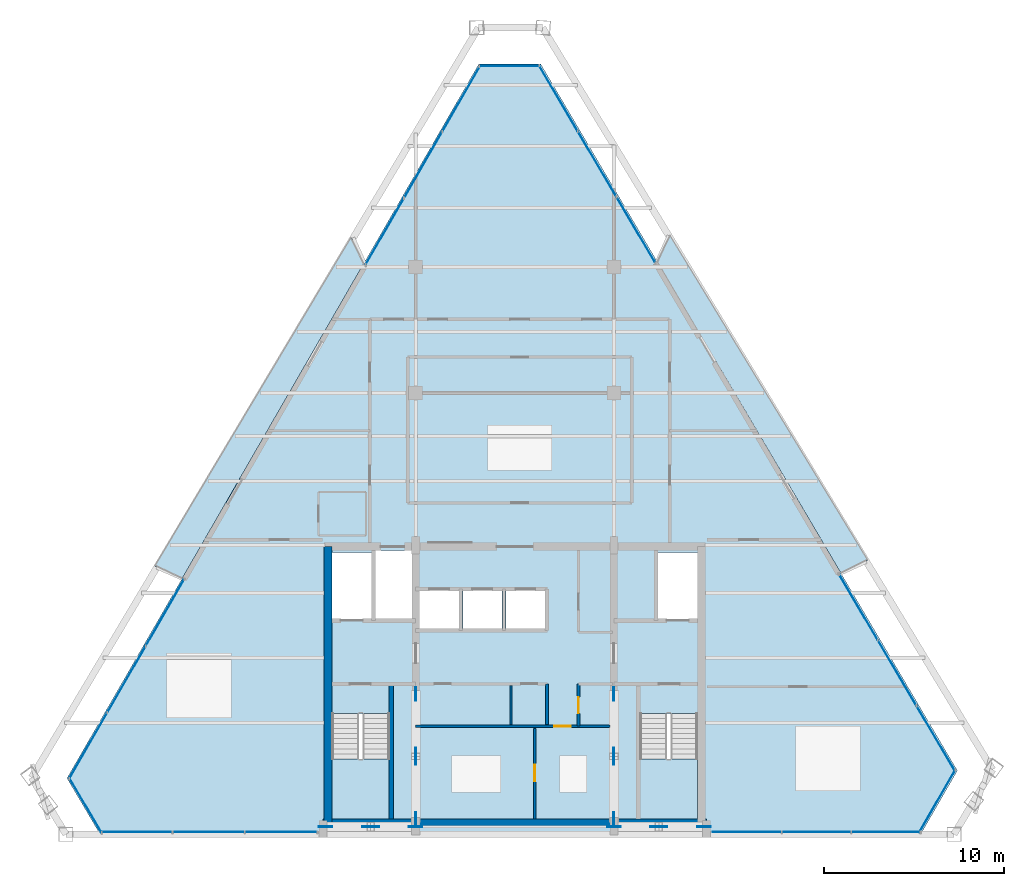
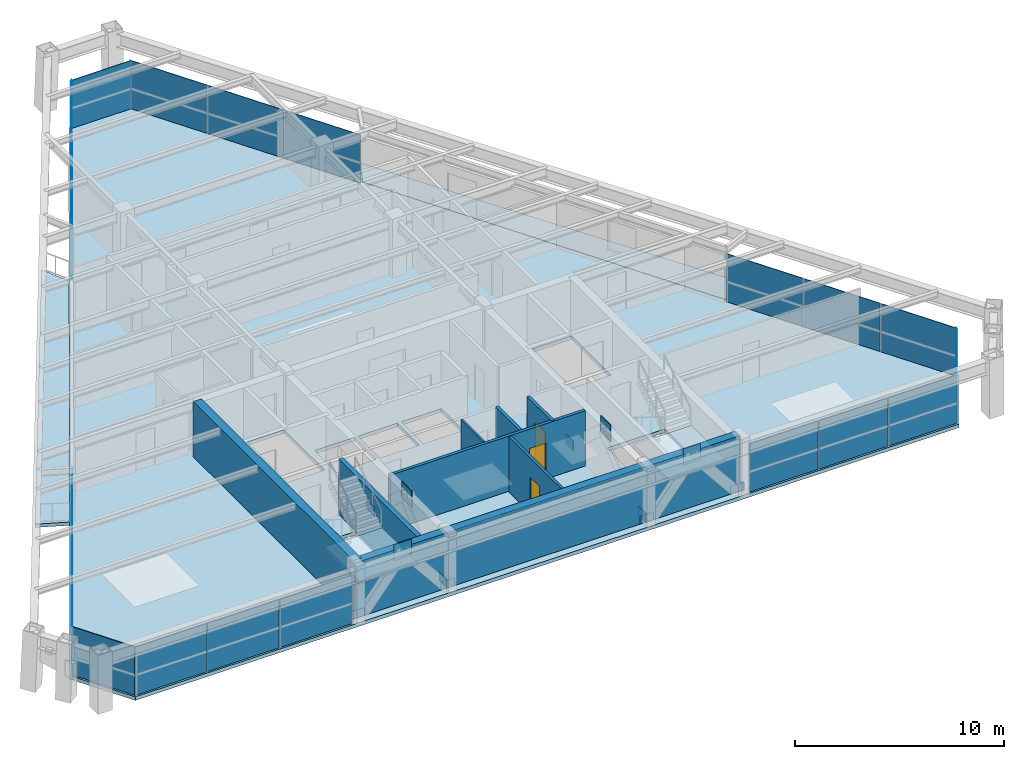
# One storey, part 8 of 13: 33 plates, 8 walls, 5 slabs, 3 doors, 3 openings, 11 elements without a shape of their own.
"""IFC4 building model written with IfcOpenShell, lengths in metres."""

from ifc_helpers import new_model, si_unit, direction, frame, frame_2d, origin, origin_2d, place, context, subcontext, project, spatial, polyline, rectangle, outline, extrude, source, transform, mapped, material, layer, layer_set, type_object, type_shapes, element, fill, aggregate, save


model = new_model("IFC4")

# Units and contexts
model_context = context("Model", 3, precision=1e-05, world=origin(), true_north=direction((0.0, 1.0)))
body_context = subcontext(model_context, "Body", "Model", "MODEL_VIEW")
ifc_project = project(units=[si_unit("LENGTHUNIT", "METRE"), si_unit("AREAUNIT", "SQUARE_METRE"), si_unit("VOLUMEUNIT", "CUBIC_METRE"), si_unit("PLANEANGLEUNIT", "RADIAN"), si_unit("MASSUNIT", "GRAM", prefix="KILO")], contexts=[model_context])

# Site, building, storey
site_placement = place(None, origin())
site = spatial("IfcSite", under=ifc_project, at=site_placement, CompositionType="ELEMENT")
building_placement = place(site_placement, origin())
building = spatial("IfcBuilding", under=site, at=building_placement, Name="Varnakhor Terracotta Tower", CompositionType="ELEMENT")
storey_placement = place(building_placement, frame((0.0, 0.0, 279.89990234375)))
storey = spatial("IfcBuildingStorey", under=building, at=storey_placement, Name="L73", CompositionType="ELEMENT", Elevation=279.89990234375)

# Slab
ifc_material_1 = material(Name="Concrete C40/50", Category="concrete")
ifc_layer_1 = layer(ifc_material_1, 0.2099609375, Name="Concrete C40/50")
ifc_layer_set_1 = layer_set([ifc_layer_1], Name="Concrete C40/50")
slab_type_1 = type_object("IfcSlabType", Name="SLB-HTL-210", PredefinedType="FLOOR", material=ifc_layer_set_1)
slab_1_placement = place(storey_placement, frame((0.0, 0.0, -0.2099609375)))
element("IfcSlab", 1, at=slab_1_placement, inside=storey, type_object=slab_type_1, Name="L73 Structural Floor Slab", PredefinedType="FLOOR", context=body_context, shape_type="SweptSolid", body=[
    extrude(outline(polyline([(-24.864501953125, 3.114990234375), (-1.995849609375, 42.775634765625), (1.438232421875, 42.775634765625), (24.5771484375, 3.533447265625), (22.539794921875, 0.0), (-23.02783203125, 0.0), (-24.864501953125, 3.114990234375)]), holes=[polyline([(-6.949951171875, 0.85009765625), (-6.949951171875, 6.695068359375), (-10.14990234375, 6.695068359375), (-10.14990234375, 0.85009765625), (-6.949951171875, 0.85009765625)]), polyline([(10.14990234375, 0.85009765625), (10.14990234375, 6.695068359375), (6.949951171875, 6.695068359375), (6.949951171875, 0.85009765625), (10.14990234375, 0.85009765625)]), polyline([(-3.10009765625, 11.419921875), (-3.10009765625, 13.52001953125), (-5.300048828125, 13.52001953125), (-5.300048828125, 11.419921875), (-3.10009765625, 11.419921875)]), polyline([(-0.719970703125, 11.419921875), (-0.719970703125, 13.52001953125), (-2.8798828125, 13.52001953125), (-2.8798828125, 11.419921875), (-0.719970703125, 11.419921875)]), polyline([(1.699951171875, 11.419921875), (1.699951171875, 13.52001953125), (-0.5, 13.52001953125), (-0.5, 11.419921875), (1.699951171875, 11.419921875)]), polyline([(-7.949951171875, 11.8798828125), (-7.949951171875, 15.64990234375), (-10.14990234375, 15.64990234375), (-10.14990234375, 11.8798828125), (-7.949951171875, 11.8798828125)]), polyline([(10.14990234375, 11.8798828125), (10.14990234375, 15.64990234375), (7.949951171875, 15.64990234375), (7.949951171875, 11.8798828125), (10.14990234375, 11.8798828125)]), polyline([(-5.699951171875, 11.8798828125), (-5.699951171875, 15.75), (-7.72998046875, 15.75), (-7.72998046875, 11.8798828125), (-5.699951171875, 11.8798828125)])]), origin(), (0.0, 0.0, 1.0), 0.2099609375),
])

# Stair, slab
stair_type = type_object("IfcStairType", Name="STR-CORE-HOTEL-1500", PredefinedType="HALF_TURN_STAIR", material=ifc_material_1)
stair_1_placement = place(storey_placement, origin())
stair_1 = element("IfcStair", 2, at=stair_1_placement, inside=storey, type_object=stair_type, Name="L73 Core Exit Stair ST-1", PredefinedType="HALF_TURN_STAIR")
ifc_layer_2 = layer(ifc_material_1, 0.179931640625, Name="Concrete C40/50")
ifc_layer_set_2 = layer_set([ifc_layer_2], Name="Concrete C40/50")
slab_type_2 = type_object("IfcSlabType", Name="SLB-LANDING-180", PredefinedType="LANDING", material=ifc_layer_set_2)
slab_2_placement = place(storey_placement, frame((0.0, 0.0, 1.525146484375)))
slab_2 = element("IfcSlab", 3, at=slab_2_placement, type_object=slab_type_2, Name="ST-1 landing 1", PredefinedType="LANDING", context=body_context, shape_type="SweptSolid", body=[
    extrude(outline(polyline([(-10.14990234375, 4.18994140625), (-10.14990234375, 0.85009765625), (-6.949951171875, 0.85009765625), (-6.949951171875, 4.18994140625), (-10.14990234375, 4.18994140625)])), origin(), (0.0, 0.0, 1.0), 0.199951171875),
])
aggregate(stair_1, [slab_2])

stair_2_placement = place(storey_placement, origin())
stair_2 = element("IfcStair", 4, at=stair_2_placement, inside=storey, type_object=stair_type, Name="L73 Core Exit Stair ST-2", PredefinedType="HALF_TURN_STAIR")
slab_3_placement = place(storey_placement, frame((0.0, 0.0, 1.525146484375)))
slab_3 = element("IfcSlab", 5, at=slab_3_placement, type_object=slab_type_2, Name="ST-2 landing 1", PredefinedType="LANDING", context=body_context, shape_type="SweptSolid", body=[
    extrude(outline(polyline([(6.949951171875, 4.18994140625), (6.949951171875, 0.85009765625), (10.14990234375, 0.85009765625), (10.14990234375, 4.18994140625), (6.949951171875, 4.18994140625)])), origin(), (0.0, 0.0, 1.0), 0.199951171875),
])
aggregate(stair_2, [slab_3])

# Slabs
ifc_layer_3 = layer(ifc_material_1, 0.195068359375, Name="Concrete C40/50")
ifc_layer_set_3 = layer_set([ifc_layer_3], Name="Concrete C40/50")
slab_type_3 = type_object("IfcSlabType", Name="SLB-LOGGIA-EXT-195", PredefinedType="FLOOR", material=ifc_layer_set_3)
slab_4_placement = place(storey_placement, frame((0.0, 0.0, -0.19482421875)))
element("IfcSlab", 6, at=slab_4_placement, inside=storey, type_object=slab_type_3, Name="L73 E Recessed Outdoor Loggia Slab", PredefinedType="FLOOR", context=body_context, shape_type="SweptSolid", body=[
    extrude(outline(polyline([(8.58740234375, 33.28271484375), (19.599609375, 15.2041015625), (18.098388671875, 14.521240234375), (7.9169921875, 31.787841796875), (8.58740234375, 33.28271484375)])), origin(), (0.0, 0.0, 1.0), 0.19482421875),
])
slab_5_placement = place(storey_placement, frame((0.0, 0.0, -0.19482421875)))
element("IfcSlab", 7, at=slab_5_placement, inside=storey, type_object=slab_type_3, Name="L73 W Recessed Outdoor Loggia Slab", PredefinedType="FLOOR", context=body_context, shape_type="SweptSolid", body=[
    extrude(outline(polyline([(-19.97705078125, 14.888671875), (-9.0751953125, 33.159912109375), (-8.399169921875, 31.670654296875), (-15.694091796875, 19.019287109375), (-18.461181640625, 14.219970703125), (-19.97705078125, 14.888671875)])), origin(), (0.0, 0.0, 1.0), 0.19482421875),
])

# Plates
ifc_material_2 = material(Name="Steel S460", Category="steel")
ifc_layer_4 = layer(ifc_material_2, 0.050048828125, Name="Steel S460")
ifc_layer_set_4 = layer_set([ifc_layer_4], Name="Steel S460")
plate_type_1 = type_object("IfcPlateType", Name="PLT-GUSSET-50", PredefinedType="USERDEFINED", material=ifc_layer_set_4)
shared_shape_1 = source(origin(), body_context, "Body", "SweptSolid", [
    extrude(rectangle(XDim=0.75, YDim=0.0400390625, at=origin_2d()), origin(), (0.0, 0.0, 1.0), 0.550048828125),
])
type_shapes(plate_type_1, [shared_shape_1])
for number, where, z_axis, x_axis, name in (
    (8, (-10.5, 0.419921875, -0.0947265625), (0.0, 0.0, 1.0), (1.0, 0.0, 0.0), "L73 Core Brace Embed Plate CSWA"),
    (9, (-5.5, 0.419921875, -0.0947265625), (0.0, 0.0, 1.0), (1.0, 0.0, 0.0), "L73 Core Brace Embed Plate CSWB"),
    (10, (5.5, 0.419921875, -0.0947265625), (0.0, 0.0, 1.0), (1.0, 0.0, 0.0), "L73 Core Brace Embed Plate CSEA"),
    (11, (10.5, 0.419921875, -0.0947265625), (0.0, 0.0, 1.0), (1.0, 0.0, 0.0), "L73 Core Brace Embed Plate CSEB"),
    (12, (-5.5, 0.85009765625, -0.0947265625), (0.0, 0.0, 1.0), (0.0, 1.0, 0.0), "L73 Core Brace Embed Plate CWWA"),
    (13, (-5.5, 7.800048828125, -0.0947265625), (0.0, 0.0, 1.0), (0.0, 1.0, 0.0), "L73 Core Brace Embed Plate CWWB"),
    (14, (5.5, 0.85009765625, -0.0947265625), (0.0, 0.0, 1.0), (0.0, 1.0, 0.0), "L73 Core Brace Embed Plate CWEA"),
    (15, (5.5, 7.800048828125, -0.0947265625), (0.0, 0.0, 1.0), (0.0, 1.0, 0.0), "L73 Core Brace Embed Plate CWEB"),
):
    element("IfcPlate", number, at=place(storey_placement, frame(where, z_axis=z_axis, x_axis=x_axis)), inside=storey, type_object=plate_type_1, Name=name, ObjectType="GUSSET PLATE", PredefinedType="USERDEFINED", context=body_context, shape_type="MappedRepresentation", body=[
        mapped(shared_shape_1, transform((0.0, 0.0, 0.0), scale=1.0)),
    ])
shared_shape_2 = source(origin(), body_context, "Body", "SweptSolid", [
    extrude(rectangle(XDim=0.949951171875, YDim=0.044921875, at=origin_2d()), origin(), (0.0, 0.0, 1.0), 0.949951171875),
])
for number, where, z_axis, x_axis, name in (
    (16, (-8.0, 0.419921875, 2.615234375), (0.0, 0.0, 1.0), (1.0, 0.0, 0.0), "L73 Core Brace Apex Gusset CSW"),
    (17, (8.0, 0.419921875, 2.615234375), (0.0, 0.0, 1.0), (1.0, 0.0, 0.0), "L73 Core Brace Apex Gusset CSE"),
    (18, (-5.5, 4.324951171875, 2.615234375), (0.0, 0.0, 1.0), (0.0, 1.0, 0.0), "L73 Core Brace Apex Gusset CWW"),
    (19, (5.5, 4.324951171875, 2.615234375), (0.0, 0.0, 1.0), (0.0, 1.0, 0.0), "L73 Core Brace Apex Gusset CWE"),
):
    element("IfcPlate", number, at=place(storey_placement, frame(where, z_axis=z_axis, x_axis=x_axis)), inside=storey, type_object=plate_type_1, Name=name, ObjectType="GUSSET PLATE", PredefinedType="USERDEFINED", context=body_context, shape_type="MappedRepresentation", body=[
        mapped(shared_shape_2, transform((0.0, 0.0, 0.0), scale=1.0)),
    ])

# Curtain wall, plates
ifc_material_3 = material(Name="Anodised Aluminium Curtain Wall System", Category="aluminium")
curtain_wall_type = type_object("IfcCurtainWallType", Name="CW-SYS-HOTEL-LOGGIA", PredefinedType="NOTDEFINED", material=ifc_material_3)
curtain_wall_1_placement = place(storey_placement, origin())
curtain_wall_1 = element("IfcCurtainWall", 20, at=curtain_wall_1_placement, inside=storey, type_object=curtain_wall_type, Name="L73 W Facet Curtain Wall 1", PredefinedType="NOTDEFINED")
ifc_material_4 = material(Name="Solar-Control Low-E Insulated Glass Panel", Category="glass")
ifc_layer_5 = layer(ifc_material_4, 0.033935546875, Name="Solar-Control Low-E Insulated Glass Panel")
ifc_layer_set_5 = layer_set([ifc_layer_5], Name="Solar-Control Low-E Insulated Glass Panel")
plate_type_2 = type_object("IfcPlateType", Name="CWP-04", PredefinedType="CURTAIN_PANEL", material=ifc_layer_set_5)
shared_shape_3 = source(origin(), body_context, "Body", "SweptSolid", [
    extrude(rectangle(XDim=4.212890625, YDim=0.035888671875, at=origin_2d()), origin(), (0.0, 0.0, 1.0), 2.820068359375),
])
plate_1_placement = place(storey_placement, frame((-23.68359375, 4.923095703125, 0.0), z_axis=(0.0, 0.0, 1.0), x_axis=(0.499516242213, 0.866304521381, 0.0)))
plate_1 = element("IfcPlate", 21, at=plate_1_placement, type_object=plate_type_2, Name="L73 W Facet Curtain Wall 1 Glazed Panel 1", PredefinedType="CURTAIN_PANEL", context=body_context, shape_type="MappedRepresentation", body=[
    mapped(shared_shape_3, transform((0.0, 0.0, 0.0), scale=1.0)),
])
plate_2_placement = place(storey_placement, frame((-21.55908203125, 8.607421875, 0.0), z_axis=(0.0, 0.0, 1.0), x_axis=(0.499516242213, 0.866304521381, 0.0)))
plate_2 = element("IfcPlate", 22, at=plate_2_placement, type_object=plate_type_2, Name="L73 W Facet Curtain Wall 1 Glazed Panel 2", PredefinedType="CURTAIN_PANEL", context=body_context, shape_type="MappedRepresentation", body=[
    mapped(shared_shape_3, transform((0.0, 0.0, 0.0), scale=1.0)),
])
plate_3_placement = place(storey_placement, frame((-19.4345703125, 12.291748046875, 0.0), z_axis=(0.0, 0.0, 1.0), x_axis=(0.499516242213, 0.866304521381, 0.0)))
plate_3 = element("IfcPlate", 23, at=plate_3_placement, type_object=plate_type_2, Name="L73 W Facet Curtain Wall 1 Glazed Panel 3", PredefinedType="CURTAIN_PANEL", context=body_context, shape_type="MappedRepresentation", body=[
    mapped(shared_shape_3, transform((0.0, 0.0, 0.0), scale=1.0)),
])
aggregate(curtain_wall_1, [plate_1, plate_2, plate_3])

curtain_wall_2_placement = place(storey_placement, origin())
curtain_wall_2 = element("IfcCurtainWall", 24, at=curtain_wall_2_placement, inside=storey, type_object=curtain_wall_type, Name="L73 W Facet Curtain Wall 2", PredefinedType="NOTDEFINED")
plate_4_placement = place(storey_placement, frame((-7.218017578125, 33.47900390625, 0.0), z_axis=(0.0, 0.0, 1.0), x_axis=(0.499516242213, 0.866304521381, 0.0)))
plate_4 = element("IfcPlate", 25, at=plate_4_placement, type_object=plate_type_2, Name="L73 W Facet Curtain Wall 2 Glazed Panel 1", PredefinedType="CURTAIN_PANEL", context=body_context, shape_type="MappedRepresentation", body=[
    mapped(shared_shape_3, transform((0.0, 0.0, 0.0), scale=1.0)),
])
plate_5_placement = place(storey_placement, frame((-5.093505859375, 37.1630859375, 0.0), z_axis=(0.0, 0.0, 1.0), x_axis=(0.499516242213, 0.866304521381, 0.0)))
plate_5 = element("IfcPlate", 26, at=plate_5_placement, type_object=plate_type_2, Name="L73 W Facet Curtain Wall 2 Glazed Panel 2", PredefinedType="CURTAIN_PANEL", context=body_context, shape_type="MappedRepresentation", body=[
    mapped(shared_shape_3, transform((0.0, 0.0, 0.0), scale=1.0)),
])
plate_6_placement = place(storey_placement, frame((-2.968994140625, 40.847412109375, 0.0), z_axis=(0.0, 0.0, 1.0), x_axis=(0.499516242213, 0.866304521381, 0.0)))
plate_6 = element("IfcPlate", 27, at=plate_6_placement, type_object=plate_type_2, Name="L73 W Facet Curtain Wall 2 Glazed Panel 3", PredefinedType="CURTAIN_PANEL", context=body_context, shape_type="MappedRepresentation", body=[
    mapped(shared_shape_3, transform((0.0, 0.0, 0.0), scale=1.0)),
])
aggregate(curtain_wall_2, [plate_4, plate_5, plate_6])

# Curtain wall, plate
curtain_wall_3_placement = place(storey_placement, origin())
curtain_wall_3 = element("IfcCurtainWall", 28, at=curtain_wall_3_placement, inside=storey, type_object=curtain_wall_type, Name="L73 Facet Curtain Wall 2", PredefinedType="NOTDEFINED")
shared_shape_4 = source(origin(), body_context, "Body", "SweptSolid", [
    extrude(rectangle(XDim=3.333984375, YDim=0.035888671875, at=origin_2d()), origin(), (0.0, 0.0, 1.0), 2.820068359375),
])
plate_7_placement = place(storey_placement, frame((-0.27880859375, 42.655517578125, 0.0), z_axis=(0.0, 0.0, 1.0), x_axis=(1.0, 0.0, 0.0)))
plate_7 = element("IfcPlate", 29, at=plate_7_placement, type_object=plate_type_2, Name="L73 Facet Curtain Wall 2 Glazed Panel 1", PredefinedType="CURTAIN_PANEL", context=body_context, shape_type="MappedRepresentation", body=[
    mapped(shared_shape_4, transform((0.0, 0.0, 0.0), scale=1.0)),
])
aggregate(curtain_wall_3, [plate_7])

# Curtain wall, plates
curtain_wall_4_placement = place(storey_placement, origin())
curtain_wall_4 = element("IfcCurtainWall", 30, at=curtain_wall_4_placement, inside=storey, type_object=curtain_wall_type, Name="L73 E Facet Curtain Wall 1", PredefinedType="NOTDEFINED")
shared_shape_5 = source(origin(), body_context, "Body", "SweptSolid", [
    extrude(rectangle(XDim=4.19189453125, YDim=0.035888671875, at=origin_2d()), origin(), (0.0, 0.0, 1.0), 2.820068359375),
])
plate_8_placement = place(storey_placement, frame((2.4248046875, 40.8662109375, 0.0), z_axis=(0.0, 0.0, 1.0), x_axis=(0.507929305601, -0.861398758132, 0.0)))
plate_8 = element("IfcPlate", 31, at=plate_8_placement, type_object=plate_type_2, Name="L73 E Facet Curtain Wall 1 Glazed Panel 1", PredefinedType="CURTAIN_PANEL", context=body_context, shape_type="MappedRepresentation", body=[
    mapped(shared_shape_5, transform((0.0, 0.0, 0.0), scale=1.0)),
])
plate_9_placement = place(storey_placement, frame((4.57421875, 37.220703125, 0.0), z_axis=(0.0, 0.0, 1.0), x_axis=(0.507929305601, -0.861398758132, 0.0)))
plate_9 = element("IfcPlate", 32, at=plate_9_placement, type_object=plate_type_2, Name="L73 E Facet Curtain Wall 1 Glazed Panel 2", PredefinedType="CURTAIN_PANEL", context=body_context, shape_type="MappedRepresentation", body=[
    mapped(shared_shape_5, transform((0.0, 0.0, 0.0), scale=1.0)),
])
plate_10_placement = place(storey_placement, frame((6.7236328125, 33.575439453125, 0.0), z_axis=(0.0, 0.0, 1.0), x_axis=(0.507929305601, -0.861398758132, 0.0)))
plate_10 = element("IfcPlate", 33, at=plate_10_placement, type_object=plate_type_2, Name="L73 E Facet Curtain Wall 1 Glazed Panel 3", PredefinedType="CURTAIN_PANEL", context=body_context, shape_type="MappedRepresentation", body=[
    mapped(shared_shape_5, transform((0.0, 0.0, 0.0), scale=1.0)),
])
aggregate(curtain_wall_4, [plate_8, plate_9, plate_10])

curtain_wall_5_placement = place(storey_placement, origin())
curtain_wall_5 = element("IfcCurtainWall", 34, at=curtain_wall_5_placement, inside=storey, type_object=curtain_wall_type, Name="L73 E Facet Curtain Wall 2", PredefinedType="NOTDEFINED")
plate_11_placement = place(storey_placement, frame((19.0849609375, 12.61181640625, 0.0), z_axis=(0.0, 0.0, 1.0), x_axis=(0.507929305601, -0.861398758132, 0.0)))
plate_11 = element("IfcPlate", 35, at=plate_11_placement, type_object=plate_type_2, Name="L73 E Facet Curtain Wall 2 Glazed Panel 1", PredefinedType="CURTAIN_PANEL", context=body_context, shape_type="MappedRepresentation", body=[
    mapped(shared_shape_5, transform((0.0, 0.0, 0.0), scale=1.0)),
])
plate_12_placement = place(storey_placement, frame((21.234375, 8.96630859375, 0.0), z_axis=(0.0, 0.0, 1.0), x_axis=(0.507929305601, -0.861398758132, 0.0)))
plate_12 = element("IfcPlate", 36, at=plate_12_placement, type_object=plate_type_2, Name="L73 E Facet Curtain Wall 2 Glazed Panel 2", PredefinedType="CURTAIN_PANEL", context=body_context, shape_type="MappedRepresentation", body=[
    mapped(shared_shape_5, transform((0.0, 0.0, 0.0), scale=1.0)),
])
plate_13_placement = place(storey_placement, frame((23.3837890625, 5.321044921875, 0.0), z_axis=(0.0, 0.0, 1.0), x_axis=(0.507929305601, -0.861398758132, 0.0)))
plate_13 = element("IfcPlate", 37, at=plate_13_placement, type_object=plate_type_2, Name="L73 E Facet Curtain Wall 2 Glazed Panel 3", PredefinedType="CURTAIN_PANEL", context=body_context, shape_type="MappedRepresentation", body=[
    mapped(shared_shape_5, transform((0.0, 0.0, 0.0), scale=1.0)),
])
aggregate(curtain_wall_5, [plate_11, plate_12, plate_13])

# Curtain wall, plate
curtain_wall_6_placement = place(storey_placement, origin())
curtain_wall_6 = element("IfcCurtainWall", 38, at=curtain_wall_6_placement, inside=storey, type_object=curtain_wall_type, Name="L73 Facet Curtain Wall 4", PredefinedType="NOTDEFINED")
shared_shape_6 = source(origin(), body_context, "Body", "SweptSolid", [
    extrude(rectangle(XDim=3.978759765625, YDim=0.035888671875, at=origin_2d()), origin(), (0.0, 0.0, 1.0), 2.820068359375),
])
plate_14_placement = place(storey_placement, frame((23.45458984375, 1.82666015625, 0.0), z_axis=(0.0, 0.0, 1.0), x_axis=(-0.499516242213, -0.866304521381, 0.0)))
plate_14 = element("IfcPlate", 39, at=plate_14_placement, type_object=plate_type_2, Name="L73 Facet Curtain Wall 4 Glazed Panel 1", PredefinedType="CURTAIN_PANEL", context=body_context, shape_type="MappedRepresentation", body=[
    mapped(shared_shape_6, transform((0.0, 0.0, 0.0), scale=1.0)),
])
aggregate(curtain_wall_6, [plate_14])

# Curtain wall, plates
curtain_wall_7_placement = place(storey_placement, origin())
curtain_wall_7 = element("IfcCurtainWall", 40, at=curtain_wall_7_placement, inside=storey, type_object=curtain_wall_type, Name="L73 South Wing Curtain Wall SSE", PredefinedType="NOTDEFINED")
shared_shape_7 = source(origin(), body_context, "Body", "SweptSolid", [
    extrude(rectangle(XDim=3.813232421875, YDim=0.035888671875, at=origin_2d()), origin(), (0.0, 0.0, 1.0), 2.820068359375),
])
plate_15_placement = place(storey_placement, frame((20.60302734375, 0.1201171875, 0.0), z_axis=(0.0, 0.0, 1.0), x_axis=(-1.0, 0.0, 0.0)))
plate_15 = element("IfcPlate", 41, at=plate_15_placement, type_object=plate_type_2, Name="L73 South Wing Curtain Wall SSE Glazed Panel 1", PredefinedType="CURTAIN_PANEL", context=body_context, shape_type="MappedRepresentation", body=[
    mapped(shared_shape_7, transform((0.0, 0.0, 0.0), scale=1.0)),
])
plate_16_placement = place(storey_placement, frame((16.75, 0.1201171875, 0.0), z_axis=(0.0, 0.0, 1.0), x_axis=(-1.0, 0.0, 0.0)))
plate_16 = element("IfcPlate", 42, at=plate_16_placement, type_object=plate_type_2, Name="L73 South Wing Curtain Wall SSE Glazed Panel 2", PredefinedType="CURTAIN_PANEL", context=body_context, shape_type="MappedRepresentation", body=[
    mapped(shared_shape_7, transform((0.0, 0.0, 0.0), scale=1.0)),
])
plate_17_placement = place(storey_placement, frame((12.896728515625, 0.1201171875, 0.0), z_axis=(0.0, 0.0, 1.0), x_axis=(-1.0, 0.0, 0.0)))
plate_17 = element("IfcPlate", 43, at=plate_17_placement, type_object=plate_type_2, Name="L73 South Wing Curtain Wall SSE Glazed Panel 3", PredefinedType="CURTAIN_PANEL", context=body_context, shape_type="MappedRepresentation", body=[
    mapped(shared_shape_7, transform((0.0, 0.0, 0.0), scale=1.0)),
])
aggregate(curtain_wall_7, [plate_15, plate_16, plate_17])

curtain_wall_8_placement = place(storey_placement, origin())
curtain_wall_8 = element("IfcCurtainWall", 44, at=curtain_wall_8_placement, inside=storey, type_object=curtain_wall_type, Name="L73 South Wing Curtain Wall SSW", PredefinedType="NOTDEFINED")
shared_shape_8 = source(origin(), body_context, "Body", "SweptSolid", [
    extrude(rectangle(XDim=3.97607421875, YDim=0.035888671875, at=origin_2d()), origin(), (0.0, 0.0, 1.0), 2.820068359375),
])
plate_18_placement = place(storey_placement, frame((-12.97802734375, 0.1201171875, 0.0), z_axis=(0.0, 0.0, 1.0), x_axis=(-1.0, 0.0, 0.0)))
plate_18 = element("IfcPlate", 45, at=plate_18_placement, type_object=plate_type_2, Name="L73 South Wing Curtain Wall SSW Glazed Panel 1", PredefinedType="CURTAIN_PANEL", context=body_context, shape_type="MappedRepresentation", body=[
    mapped(shared_shape_8, transform((0.0, 0.0, 0.0), scale=1.0)),
])
plate_19_placement = place(storey_placement, frame((-21.010009765625, 0.1201171875, 0.0), z_axis=(0.0, 0.0, 1.0), x_axis=(-1.0, 0.0, 0.0)))
plate_19 = element("IfcPlate", 46, at=plate_19_placement, type_object=plate_type_2, Name="L73 South Wing Curtain Wall SSW Glazed Panel 3", PredefinedType="CURTAIN_PANEL", context=body_context, shape_type="MappedRepresentation", body=[
    mapped(shared_shape_8, transform((0.0, 0.0, 0.0), scale=1.0)),
])
shared_shape_9 = source(origin(), body_context, "Body", "SweptSolid", [
    extrude(rectangle(XDim=3.975830078125, YDim=0.035888671875, at=origin_2d()), origin(), (0.0, 0.0, 1.0), 2.820068359375),
])
plate_20_placement = place(storey_placement, frame((-16.993896484375, 0.1201171875, 0.0), z_axis=(0.0, 0.0, 1.0), x_axis=(-1.0, 0.0, 0.0)))
plate_20 = element("IfcPlate", 47, at=plate_20_placement, type_object=plate_type_2, Name="L73 South Wing Curtain Wall SSW Glazed Panel 2", PredefinedType="CURTAIN_PANEL", context=body_context, shape_type="MappedRepresentation", body=[
    mapped(shared_shape_9, transform((0.0, 0.0, 0.0), scale=1.0)),
])
aggregate(curtain_wall_8, [plate_18, plate_20, plate_19])

# Curtain wall, plate
curtain_wall_9_placement = place(storey_placement, origin())
curtain_wall_9 = element("IfcCurtainWall", 48, at=curtain_wall_9_placement, inside=storey, type_object=curtain_wall_type, Name="L73 Facet Curtain Wall 6", PredefinedType="NOTDEFINED")
shared_shape_10 = source(origin(), body_context, "Body", "SweptSolid", [
    extrude(rectangle(XDim=3.51611328125, YDim=0.035888671875, at=origin_2d()), origin(), (0.0, 0.0, 1.0), 2.820068359375),
])
plate_21_placement = place(storey_placement, frame((-23.843017578125, 1.618408203125, 0.0), z_axis=(0.0, 0.0, 1.0), x_axis=(-0.507929305601, 0.861398758132, 0.0)))
plate_21 = element("IfcPlate", 49, at=plate_21_placement, type_object=plate_type_2, Name="L73 Facet Curtain Wall 6 Glazed Panel 1", PredefinedType="CURTAIN_PANEL", context=body_context, shape_type="MappedRepresentation", body=[
    mapped(shared_shape_10, transform((0.0, 0.0, 0.0), scale=1.0)),
])
aggregate(curtain_wall_9, [plate_21])

# Walls
ifc_material_5 = material(Name="Concrete C50/60", Category="concrete")
ifc_layer_6 = layer(ifc_material_5, 0.449951171875, Name="Concrete C50/60")
ifc_layer_set_6 = layer_set([ifc_layer_6], Name="Concrete C50/60")
wall_type_1 = type_object("IfcWallType", Name="WAL-CORE-450", PredefinedType="SHEAR", material=ifc_layer_set_6)
wall_1_placement = place(storey_placement, frame((-10.64990234375, 0.625, 0.0), z_axis=(0.0, 0.0, 1.0), x_axis=(1.0, 0.0, 0.0)))
element("IfcWall", 50, at=wall_1_placement, inside=storey, type_object=wall_type_1, Name="L73 South Core Shear Wall", PredefinedType="SHEAR", context=body_context, shape_type="SweptSolid", body=[
    extrude(rectangle(XDim=21.2998046875, YDim=0.449951171875, at=frame_2d((10.64990234375, 0.0))), origin(), (0.0, 0.0, 1.0), 3.239990234375),
])
wall_2_placement = place(storey_placement, frame((-10.375, 0.625, 0.0), z_axis=(0.0, 0.0, 1.0), x_axis=(0.0, 1.0, 0.0)))
element("IfcWall", 51, at=wall_2_placement, inside=storey, type_object=wall_type_1, Name="L73 West Core Shear Wall", PredefinedType="SHEAR", context=body_context, shape_type="SweptSolid", body=[
    extrude(rectangle(XDim=15.35009765625, YDim=0.449951171875, at=frame_2d((7.675048828125, 0.0))), origin(), (0.0, 0.0, 1.0), 3.239990234375),
])
ifc_layer_7 = layer(ifc_material_1, 0.25, Name="Concrete C40/50")
ifc_layer_set_7 = layer_set([ifc_layer_7], Name="Concrete C40/50")
wall_type_2 = type_object("IfcWallType", Name="WAL-SHAFT-250", PredefinedType="SOLIDWALL", material=ifc_layer_set_7)
wall_3_placement = place(storey_placement, frame((-6.85009765625, 0.85009765625, 0.0), z_axis=(0.0, 0.0, 1.0), x_axis=(0.0, 1.0, 0.0)))
element("IfcWall", 52, at=wall_3_placement, inside=storey, type_object=wall_type_2, Name="L73 Stair ST-1 Bearing Shaft Wall", PredefinedType="SOLIDWALL", context=body_context, shape_type="SweptSolid", body=[
    extrude(rectangle(XDim=7.5, YDim=0.25, at=frame_2d((3.75, 0.0))), origin(), (0.0, 0.0, 1.0), 3.239990234375),
])
ifc_material_6 = material(Name="Acoustic Fire-Rated Partition", Category="gypsum")
ifc_layer_8 = layer(ifc_material_6, 0.114990234375, Name="Acoustic Fire-Rated Partition")
ifc_layer_set_8 = layer_set([ifc_layer_8], Name="Acoustic Fire-Rated Partition")
wall_type_3 = type_object("IfcWallType", Name="WAL-TENANCY-115", PredefinedType="PARTITIONING", material=ifc_layer_set_8)
wall_4_placement = place(storey_placement, frame((-0.199951171875, 6.10009765625, 0.0), z_axis=(0.0, 0.0, 1.0), x_axis=(0.0, 1.0, 0.0)))
element("IfcWall", 53, at=wall_4_placement, inside=storey, type_object=wall_type_3, Name="L73 Reclaimed Mid-Core Split Wall", PredefinedType="PARTITIONING", context=body_context, shape_type="SweptSolid", body=[
    extrude(rectangle(XDim=2.14990234375, YDim=0.114990234375, at=frame_2d((1.074951171875, 0.0))), origin(), (0.0, 0.0, 1.0), 3.232177734375),
])

# Wall, opening, door
ifc_layer_9 = layer(ifc_material_6, 0.139892578125, Name="Acoustic Fire-Rated Partition")
ifc_layer_set_9 = layer_set([ifc_layer_9], Name="Acoustic Fire-Rated Partition")
wall_type_4 = type_object("IfcWallType", Name="WAL-TENANCY-140", PredefinedType="PARTITIONING", material=ifc_layer_set_9)
wall_5_placement = place(storey_placement, frame((1.10009765625, 0.85009765625, 0.0), z_axis=(0.0, 0.0, 1.0), x_axis=(0.0, 1.0, 0.0)))
wall_5 = element("IfcWall", 54, at=wall_5_placement, inside=storey, type_object=wall_type_4, Name="L73 Reclaimed Core Bay Split Wall", PredefinedType="PARTITIONING", context=body_context, shape_type="SweptSolid", body=[
    extrude(rectangle(XDim=5.02978515625, YDim=0.139892578125, at=frame_2d((2.514892578125, 0.0))), origin(), (0.0, 0.0, 1.0), 3.232177734375),
])
opening_1_placement = place(wall_5_placement, frame((2.10009765625, 0.0, 0.0)))
opening_1 = element("IfcOpeningElement", 55, at=opening_1_placement, cuts=wall_5, Name="Opening DR-67", PredefinedType="OPENING", context=body_context, shape_type="SweptSolid", body=[
    extrude(rectangle(XDim=0.89990234375, YDim=2.10009765625, at=frame_2d((0.449951171875, 1.050048828125))), frame((0.0, 0.080078125, 0.0), z_axis=(0.0, -1.0, 0.0), x_axis=(1.0, 0.0, 0.0)), (0.0, 0.0, 1.0), 0.159912109375),
])
ifc_material_7 = material(Name="Steel Service Riser Fire Door", Category="steel")
door_type = type_object("IfcDoorType", Name="DR-RISER-900X2100", OperationType="NOTDEFINED", PredefinedType="DOOR", material=ifc_material_7)
shared_shape_11 = source(origin(), body_context, "Body", "SweptSolid", [
    extrude(rectangle(XDim=0.89990234375, YDim=2.10009765625, at=frame_2d((0.449951171875, 1.050048828125))), frame((0.0, 0.02490234375, 0.0), z_axis=(0.0, -1.0, 0.0), x_axis=(1.0, 0.0, 0.0)), (0.0, 0.0, 1.0), 0.050048828125),
])
type_shapes(door_type, [shared_shape_11])
door_1_placement = place(opening_1_placement, origin())
door_1 = element("IfcDoor", 56, at=door_1_placement, inside=storey, type_object=door_type, Name="L73 Core Inner Service Door", OperationType="SINGLE_SWING_LEFT", OverallHeight=2.10009765625, OverallWidth=0.89990234375, PredefinedType="DOOR", context=body_context, shape_type="MappedRepresentation", body=[
    mapped(shared_shape_11, transform((0.0, 0.0, 0.0), scale=1.0)),
])
fill(opening_1, door_1)

ifc_layer_10 = layer(ifc_material_6, 0.1650390625, Name="Acoustic Fire-Rated Partition")
ifc_layer_set_10 = layer_set([ifc_layer_10], Name="Acoustic Fire-Rated Partition")
wall_type_5 = type_object("IfcWallType", Name="WAL-TENANCY-165", PredefinedType="PARTITIONING", material=ifc_layer_set_10)
wall_6_placement = place(storey_placement, frame((-5.5, 6.0, 0.0), z_axis=(0.0, 0.0, 1.0), x_axis=(1.0, 0.0, 0.0)))
wall_6 = element("IfcWall", 57, at=wall_6_placement, inside=storey, type_object=wall_type_5, Name="L73 Reclaimed Core Bay North Rated Wall", PredefinedType="PARTITIONING", context=body_context, shape_type="SweptSolid", body=[
    extrude(rectangle(XDim=10.800048828125, YDim=0.1650390625, at=frame_2d((5.39990234375, 0.0))), origin(), (0.0, 0.0, 1.0), 3.232177734375),
])
opening_2_placement = place(wall_6_placement, frame((7.699951171875, 0.0, 0.0)))
opening_2 = element("IfcOpeningElement", 58, at=opening_2_placement, cuts=wall_6, Name="Opening DR-67", PredefinedType="OPENING", context=body_context, shape_type="SweptSolid", body=[
    extrude(rectangle(XDim=0.89990234375, YDim=2.10009765625, at=frame_2d((0.449951171875, 1.050048828125))), frame((0.0, 0.092529296875, 0.0), z_axis=(0.0, -1.0, 0.0), x_axis=(1.0, 0.0, 0.0)), (0.0, 0.0, 1.0), 0.18505859375),
])
door_2_placement = place(opening_2_placement, origin())
door_2 = element("IfcDoor", 59, at=door_2_placement, inside=storey, type_object=door_type, Name="L73 Core Reclaimed Suite Door", OperationType="SINGLE_SWING_RIGHT", OverallHeight=2.10009765625, OverallWidth=0.89990234375, PredefinedType="DOOR", context=body_context, shape_type="MappedRepresentation", body=[
    mapped(shared_shape_11, transform((0.0, 0.0, 0.0), scale=1.0)),
])
fill(opening_2, door_2)

wall_7_placement = place(storey_placement, frame((3.5400390625, 6.0, 0.0), z_axis=(0.0, 0.0, 1.0), x_axis=(0.0, 1.0, 0.0)))
wall_7 = element("IfcWall", 60, at=wall_7_placement, inside=storey, type_object=wall_type_5, Name="L73 Accessible WC Rated Wall", PredefinedType="PARTITIONING", context=body_context, shape_type="SweptSolid", body=[
    extrude(rectangle(XDim=2.340087890625, YDim=0.1650390625, at=frame_2d((1.169921875, 0.0))), origin(), (0.0, 0.0, 1.0), 3.232177734375),
])
opening_3_placement = place(wall_7_placement, frame((0.719970703125, 0.0, 0.0)))
opening_3 = element("IfcOpeningElement", 61, at=opening_3_placement, cuts=wall_7, Name="Opening DR-67", PredefinedType="OPENING", context=body_context, shape_type="SweptSolid", body=[
    extrude(rectangle(XDim=0.89990234375, YDim=2.10009765625, at=frame_2d((0.449951171875, 1.050048828125))), frame((0.0, 0.092529296875, 0.0), z_axis=(0.0, -1.0, 0.0), x_axis=(1.0, 0.0, 0.0)), (0.0, 0.0, 1.0), 0.18505859375),
])
door_3_placement = place(opening_3_placement, origin())
door_3 = element("IfcDoor", 62, at=door_3_placement, inside=storey, type_object=door_type, Name="L73 Accessible WC Door", OperationType="SINGLE_SWING_RIGHT", OverallHeight=2.10009765625, OverallWidth=0.89990234375, PredefinedType="DOOR", context=body_context, shape_type="MappedRepresentation", body=[
    mapped(shared_shape_11, transform((0.0, 0.0, 0.0), scale=1.0)),
])
fill(opening_3, door_3)

# Wall
wall_8_placement = place(storey_placement, frame((1.800048828125, 6.10009765625, 0.0), z_axis=(0.0, 0.0, 1.0), x_axis=(0.0, 1.0, 0.0)))
element("IfcWall", 63, at=wall_8_placement, inside=storey, type_object=wall_type_5, Name="L73 Reclaimed Mid-Core East Wall", PredefinedType="PARTITIONING", context=body_context, shape_type="SweptSolid", body=[
    extrude(rectangle(XDim=2.25, YDim=0.1650390625, at=frame_2d((1.125, 0.0))), origin(), (0.0, 0.0, 1.0), 3.232177734375),
])

save(model, "model.ifc")
